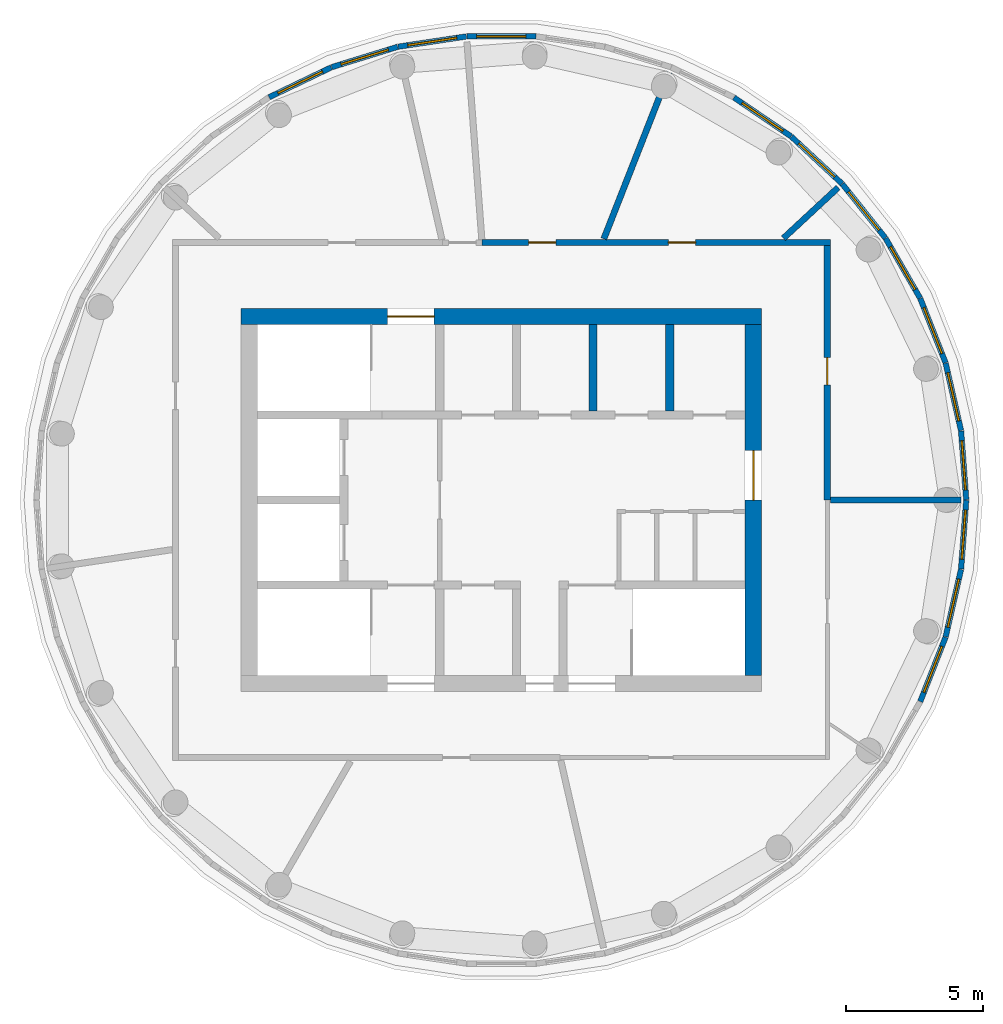
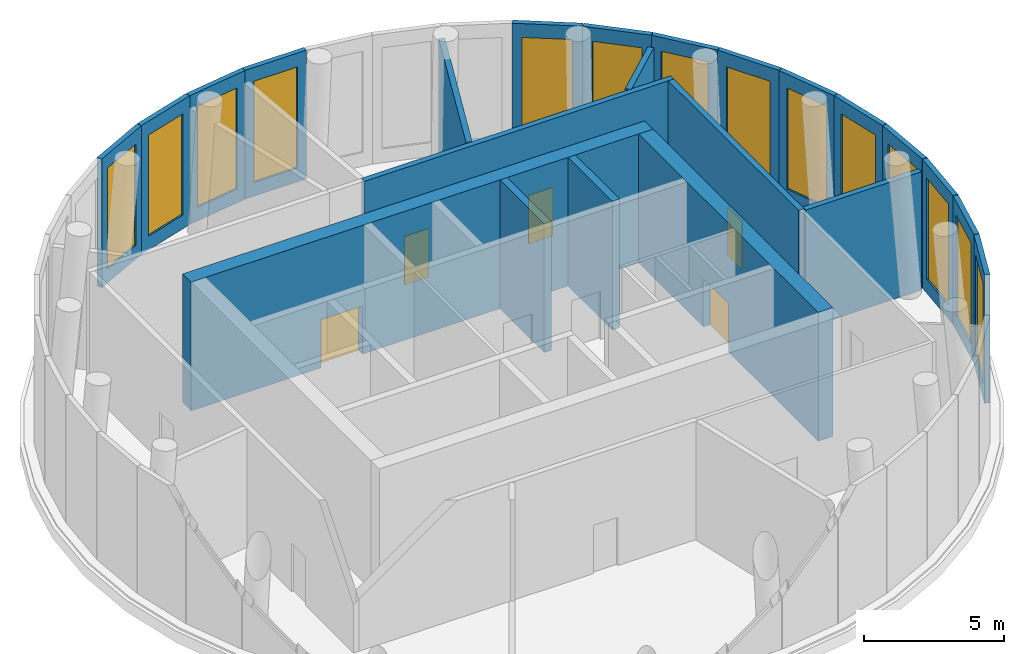
# One storey, part 4 of 6: 23 walls, 14 windows, 5 doors, 19 openings.
"""IFC4 building model written with IfcOpenShell, lengths in metres."""

from ifc_helpers import new_model, si_unit, direction, frame, frame_2d, origin, place, context, subcontext, project, spatial, rectangle, extrude, material, layer, layer_set, type_object, element, fill, save


model = new_model("IFC4")

# Units and contexts
model_context = context("Model", 3, precision=1e-05, world=origin(), true_north=direction((0.0, 1.0)))
body_context = subcontext(model_context, "Body", "Model", "MODEL_VIEW")
ifc_project = project(units=[si_unit("LENGTHUNIT", "METRE"), si_unit("AREAUNIT", "SQUARE_METRE"), si_unit("VOLUMEUNIT", "CUBIC_METRE"), si_unit("PLANEANGLEUNIT", "RADIAN"), si_unit("MASSUNIT", "GRAM", prefix="KILO")], contexts=[model_context])

# Site, building, storey
site_placement = place(None, origin())
site = spatial("IfcSite", under=ifc_project, at=site_placement, CompositionType="ELEMENT")
building_placement = place(site_placement, origin())
building = spatial("IfcBuilding", under=site, at=building_placement, Name="Tracery Tower", CompositionType="ELEMENT")
storey_placement = place(building_placement, frame((0.0, 0.0, 358.199951171875)))
storey = spatial("IfcBuildingStorey", under=building, at=storey_placement, Name="L91 Plant", CompositionType="ELEMENT", Elevation=358.199951171875)

# Wall, opening, door
ifc_material_1 = material(Name="Concrete C40/50", Category="concrete")
ifc_layer_1 = layer(ifc_material_1, 0.60009765625)
ifc_layer_set_1 = layer_set([ifc_layer_1], Name="Core wall 600 C40")
wall_type_1 = type_object("IfcWallType", Name="Core wall 600 C40", PredefinedType="SOLIDWALL", material=ifc_layer_set_1)
wall_1_placement = place(storey_placement, frame((-9.5, 6.699951171875, 0.0), z_axis=(0.0, 0.0, 1.0), x_axis=(1.0, 0.0, 0.0)))
wall_1 = element("IfcWall", 1, at=wall_1_placement, inside=storey, type_object=wall_type_1, Name="L91 Plant outer N", PredefinedType="SOLIDWALL", context=body_context, shape_type="SweptSolid", body=[
    extrude(rectangle(XDim=19.0, YDim=0.60009765625, at=frame_2d((9.5, 0.0))), origin(), (0.0, 0.0, 1.0), 5.60009765625),
])
opening_1_placement = place(wall_1_placement, frame((5.35009765625, 0.0, 0.0)))
opening_1 = element("IfcOpeningElement", 2, at=opening_1_placement, cuts=wall_1, Name="Opening KD3", PredefinedType="OPENING", context=body_context, shape_type="SweptSolid", body=[
    extrude(rectangle(XDim=1.699951171875, YDim=2.10009765625, at=frame_2d((0.85009765625, 1.050048828125))), frame((0.0, 0.300048828125, 0.0), z_axis=(0.0, -1.0, 0.0), x_axis=(1.0, 0.0, 0.0)), (0.0, 0.0, 1.0), 0.60009765625),
])
ifc_material_2 = material(Name="Steel fire door", Category="steel")
door_type_1 = type_object("IfcDoorType", Name="Core stair door 1700 double", OperationType="NOTDEFINED", PredefinedType="DOOR", material=ifc_material_2)
door_1_placement = place(opening_1_placement, origin())
door_1 = element("IfcDoor", 3, at=door_1_placement, inside=storey, type_object=door_type_1, Name="Stair door ST3 exit", OperationType="DOUBLE_DOOR_SINGLE_SWING", OverallHeight=2.10009765625, OverallWidth=1.699951171875, PredefinedType="DOOR", context=body_context, shape_type="SweptSolid", body=[
    extrude(rectangle(XDim=1.699951171875, YDim=2.10009765625, at=frame_2d((0.85009765625, 1.050048828125))), frame((0.0, 0.02490234375, 0.0), z_axis=(0.0, -1.0, 0.0), x_axis=(1.0, 0.0, 0.0)), (0.0, 0.0, 1.0), 0.050048828125),
])
fill(opening_1, door_1)

wall_2_placement = place(storey_placement, frame((9.199951171875, -6.39990234375, 0.0), z_axis=(0.0, 0.0, 1.0), x_axis=(0.0, 1.0, 0.0)))
wall_2 = element("IfcWall", 4, at=wall_2_placement, inside=storey, type_object=wall_type_1, Name="L91 Plant outer E", PredefinedType="SOLIDWALL", context=body_context, shape_type="SweptSolid", body=[
    extrude(rectangle(XDim=12.7998046875, YDim=0.60009765625, at=frame_2d((6.39990234375, 0.0))), origin(), (0.0, 0.0, 1.0), 5.60009765625),
])
opening_2_placement = place(wall_2_placement, frame((6.39990234375, 0.0, 0.0)))
opening_2 = element("IfcOpeningElement", 5, at=opening_2_placement, cuts=wall_2, Name="Opening KD13", PredefinedType="OPENING", context=body_context, shape_type="SweptSolid", body=[
    extrude(rectangle(XDim=1.800048828125, YDim=2.10009765625, at=frame_2d((0.89990234375, 1.050048828125))), frame((0.0, 0.300048828125, 0.0), z_axis=(0.0, -1.0, 0.0), x_axis=(1.0, 0.0, 0.0)), (0.0, 0.0, 1.0), 0.60009765625),
])
ifc_material_3 = material(Name="Steel fire door", Category="steel")
door_type_2 = type_object("IfcDoorType", Name="Core exit door 1800 double", OperationType="NOTDEFINED", PredefinedType="DOOR", material=ifc_material_3)
door_2_placement = place(opening_2_placement, origin())
door_2 = element("IfcDoor", 6, at=door_2_placement, inside=storey, type_object=door_type_2, Name="Core exit door", OperationType="DOUBLE_DOOR_SINGLE_SWING", OverallHeight=2.10009765625, OverallWidth=1.800048828125, PredefinedType="DOOR", context=body_context, shape_type="SweptSolid", body=[
    extrude(rectangle(XDim=1.800048828125, YDim=2.10009765625, at=frame_2d((0.89990234375, 1.050048828125))), frame((0.0, 0.02490234375, 0.0), z_axis=(0.0, -1.0, 0.0), x_axis=(1.0, 0.0, 0.0)), (0.0, 0.0, 1.0), 0.050048828125),
])
fill(opening_2, door_2)

# Wall, opening, window
ifc_material_4 = material(Name="Aluminium louvre, bronze anodised", Category="aluminium")
ifc_layer_2 = layer(ifc_material_4, 0.199951171875)
ifc_layer_set_2 = layer_set([ifc_layer_2], Name="Plant drum louvre wall 200")
wall_type_2 = type_object("IfcWallType", Name="Plant drum louvre wall 200", PredefinedType="STANDARD", material=ifc_layer_set_2)
wall_3_placement = place(storey_placement, frame((16.97119140625, 0.008544921875, 0.0), z_axis=(0.0, 0.0, 1.0), x_axis=(-0.074710452078, 0.997205268914, 0.0)))
wall_3 = element("IfcWall", 7, at=wall_3_placement, inside=storey, type_object=wall_type_2, Name="Plant drum louvre wall 1", PredefinedType="STANDARD", context=body_context, shape_type="SweptSolid", body=[
    extrude(rectangle(XDim=2.51953125, YDim=0.199951171875, at=frame_2d((1.259765625, 0.0))), origin(), (0.0, 0.0, 1.0), 5.60009765625),
])
opening_3_placement = place(wall_3_placement, frame((0.35986328125, 0.0, 0.60009765625)))
opening_3 = element("IfcOpeningElement", 8, at=opening_3_placement, cuts=wall_3, Name="Opening EW841", PredefinedType="OPENING", context=body_context, shape_type="SweptSolid", body=[
    extrude(rectangle(XDim=1.800048828125, YDim=4.39990234375, at=frame_2d((0.89990234375, 2.199951171875))), frame((0.0, 0.10009765625, 0.0), z_axis=(0.0, -1.0, 0.0), x_axis=(1.0, 0.0, 0.0)), (0.0, 0.0, 1.0), 0.199951171875),
])
ifc_material_5 = material(Name="Aluminium louvre, bronze anodised", Category="aluminium")
window_type = type_object("IfcWindowType", Name="Plant drum louvre 1800 x 4400", PartitioningType="SINGLE_PANEL", PredefinedType="WINDOW", material=ifc_material_5)
window_1_placement = place(opening_3_placement, origin())
window_1 = element("IfcWindow", 9, at=window_1_placement, inside=storey, type_object=window_type, Name="Plant drum louvre EW841", OverallHeight=4.39990234375, OverallWidth=1.800048828125, PartitioningType="SINGLE_PANEL", PredefinedType="WINDOW", context=body_context, shape_type="SweptSolid", body=[
    extrude(rectangle(XDim=1.800048828125, YDim=4.39990234375, at=frame_2d((0.89990234375, 2.199951171875))), frame((0.0, 0.030029296875, 0.0), z_axis=(0.0, -1.0, 0.0), x_axis=(1.0, 0.0, 0.0)), (0.0, 0.0, 1.0), 0.06005859375),
])
fill(opening_3, window_1)

wall_4_placement = place(storey_placement, frame((16.780517578125, 2.537841796875, 0.0), z_axis=(0.0, 0.0, 1.0), x_axis=(-0.222559075323, 0.974919205879, 0.0)))
wall_4 = element("IfcWall", 10, at=wall_4_placement, inside=storey, type_object=wall_type_2, Name="Plant drum louvre wall 2", PredefinedType="STANDARD", context=body_context, shape_type="SweptSolid", body=[
    extrude(rectangle(XDim=2.519775390625, YDim=0.199951171875, at=frame_2d((1.259765625, 0.0))), origin(), (0.0, 0.0, 1.0), 5.60009765625),
])
opening_4_placement = place(wall_4_placement, frame((0.35986328125, 0.0, 0.60009765625)))
opening_4 = element("IfcOpeningElement", 11, at=opening_4_placement, cuts=wall_4, Name="Opening EW842", PredefinedType="OPENING", context=body_context, shape_type="SweptSolid", body=[
    extrude(rectangle(XDim=1.800048828125, YDim=4.39990234375, at=frame_2d((0.89990234375, 2.199951171875))), frame((0.0, 0.10009765625, 0.0), z_axis=(0.0, -1.0, 0.0), x_axis=(1.0, 0.0, 0.0)), (0.0, 0.0, 1.0), 0.199951171875),
])
window_2_placement = place(opening_4_placement, origin())
window_2 = element("IfcWindow", 12, at=window_2_placement, inside=storey, type_object=window_type, Name="Plant drum louvre EW842", OverallHeight=4.39990234375, OverallWidth=1.800048828125, PartitioningType="SINGLE_PANEL", PredefinedType="WINDOW", context=body_context, shape_type="SweptSolid", body=[
    extrude(rectangle(XDim=1.800048828125, YDim=4.39990234375, at=frame_2d((0.89990234375, 2.199951171875))), frame((0.0, 0.030029296875, 0.0), z_axis=(0.0, -1.0, 0.0), x_axis=(1.0, 0.0, 0.0)), (0.0, 0.0, 1.0), 0.06005859375),
])
fill(opening_4, window_2)

wall_5_placement = place(storey_placement, frame((16.21484375, 5.010498046875, 0.0), z_axis=(0.0, 0.0, 1.0), x_axis=(-0.365385552195, 0.93085627153, 0.0)))
wall_5 = element("IfcWall", 13, at=wall_5_placement, inside=storey, type_object=wall_type_2, Name="Plant drum louvre wall 3", PredefinedType="STANDARD", context=body_context, shape_type="SweptSolid", body=[
    extrude(rectangle(XDim=2.519775390625, YDim=0.199951171875, at=frame_2d((1.259765625, 0.0))), origin(), (0.0, 0.0, 1.0), 5.60009765625),
])
opening_5_placement = place(wall_5_placement, frame((0.35986328125, 0.0, 0.60009765625)))
opening_5 = element("IfcOpeningElement", 14, at=opening_5_placement, cuts=wall_5, Name="Opening EW843", PredefinedType="OPENING", context=body_context, shape_type="SweptSolid", body=[
    extrude(rectangle(XDim=1.800048828125, YDim=4.39990234375, at=frame_2d((0.89990234375, 2.199951171875))), frame((0.0, 0.10009765625, 0.0), z_axis=(0.0, -1.0, 0.0), x_axis=(1.0, 0.0, 0.0)), (0.0, 0.0, 1.0), 0.199951171875),
])
window_3_placement = place(opening_5_placement, origin())
window_3 = element("IfcWindow", 15, at=window_3_placement, inside=storey, type_object=window_type, Name="Plant drum louvre EW843", OverallHeight=4.39990234375, OverallWidth=1.800048828125, PartitioningType="SINGLE_PANEL", PredefinedType="WINDOW", context=body_context, shape_type="SweptSolid", body=[
    extrude(rectangle(XDim=1.800048828125, YDim=4.39990234375, at=frame_2d((0.89990234375, 2.199951171875))), frame((0.0, 0.030029296875, 0.0), z_axis=(0.0, -1.0, 0.0), x_axis=(1.0, 0.0, 0.0)), (0.0, 0.0, 1.0), 0.06005859375),
])
fill(opening_5, window_3)

wall_6_placement = place(storey_placement, frame((15.286865234375, 7.37109375, 0.0), z_axis=(0.0, 0.0, 1.0), x_axis=(-0.499974077718, 0.866040369504, 0.0)))
wall_6 = element("IfcWall", 16, at=wall_6_placement, inside=storey, type_object=wall_type_2, Name="Plant drum louvre wall 4", PredefinedType="STANDARD", context=body_context, shape_type="SweptSolid", body=[
    extrude(rectangle(XDim=2.519775390625, YDim=0.199951171875, at=frame_2d((1.259765625, 0.0))), origin(), (0.0, 0.0, 1.0), 5.60009765625),
])
opening_6_placement = place(wall_6_placement, frame((0.35986328125, 0.0, 0.60009765625)))
opening_6 = element("IfcOpeningElement", 17, at=opening_6_placement, cuts=wall_6, Name="Opening EW844", PredefinedType="OPENING", context=body_context, shape_type="SweptSolid", body=[
    extrude(rectangle(XDim=1.800048828125, YDim=4.39990234375, at=frame_2d((0.89990234375, 2.199951171875))), frame((0.0, 0.10009765625, 0.0), z_axis=(0.0, -1.0, 0.0), x_axis=(1.0, 0.0, 0.0)), (0.0, 0.0, 1.0), 0.199951171875),
])
window_4_placement = place(opening_6_placement, origin())
window_4 = element("IfcWindow", 18, at=window_4_placement, inside=storey, type_object=window_type, Name="Plant drum louvre EW844", OverallHeight=4.39990234375, OverallWidth=1.800048828125, PartitioningType="SINGLE_PANEL", PredefinedType="WINDOW", context=body_context, shape_type="SweptSolid", body=[
    extrude(rectangle(XDim=1.800048828125, YDim=4.39990234375, at=frame_2d((0.89990234375, 2.199951171875))), frame((0.0, 0.030029296875, 0.0), z_axis=(0.0, -1.0, 0.0), x_axis=(1.0, 0.0, 0.0)), (0.0, 0.0, 1.0), 0.06005859375),
])
fill(opening_6, window_4)

wall_7_placement = place(storey_placement, frame((14.017578125, 9.5673828125, 0.0), z_axis=(0.0, 0.0, 1.0), x_axis=(-0.623548124622, 0.781784968057, 0.0)))
wall_7 = element("IfcWall", 19, at=wall_7_placement, inside=storey, type_object=wall_type_2, Name="Plant drum louvre wall 5", PredefinedType="STANDARD", context=body_context, shape_type="SweptSolid", body=[
    extrude(rectangle(XDim=2.51953125, YDim=0.199951171875, at=frame_2d((1.259765625, 0.0))), origin(), (0.0, 0.0, 1.0), 5.60009765625),
])
opening_7_placement = place(wall_7_placement, frame((0.35986328125, 0.0, 0.60009765625)))
opening_7 = element("IfcOpeningElement", 20, at=opening_7_placement, cuts=wall_7, Name="Opening EW845", PredefinedType="OPENING", context=body_context, shape_type="SweptSolid", body=[
    extrude(rectangle(XDim=1.800048828125, YDim=4.39990234375, at=frame_2d((0.89990234375, 2.199951171875))), frame((0.0, 0.10009765625, 0.0), z_axis=(0.0, -1.0, 0.0), x_axis=(1.0, 0.0, 0.0)), (0.0, 0.0, 1.0), 0.199951171875),
])
window_5_placement = place(opening_7_placement, origin())
window_5 = element("IfcWindow", 21, at=window_5_placement, inside=storey, type_object=window_type, Name="Plant drum louvre EW845", OverallHeight=4.39990234375, OverallWidth=1.800048828125, PartitioningType="SINGLE_PANEL", PredefinedType="WINDOW", context=body_context, shape_type="SweptSolid", body=[
    extrude(rectangle(XDim=1.800048828125, YDim=4.39990234375, at=frame_2d((0.89990234375, 2.199951171875))), frame((0.0, 0.030029296875, 0.0), z_axis=(0.0, -1.0, 0.0), x_axis=(1.0, 0.0, 0.0)), (0.0, 0.0, 1.0), 0.06005859375),
])
fill(opening_7, window_5)

wall_8_placement = place(storey_placement, frame((12.43505859375, 11.549560546875, 0.0), z_axis=(0.0, 0.0, 1.0), x_axis=(-0.733062600056, 0.68016117531, 0.0)))
wall_8 = element("IfcWall", 22, at=wall_8_placement, inside=storey, type_object=wall_type_2, Name="Plant drum louvre wall 6", PredefinedType="STANDARD", context=body_context, shape_type="SweptSolid", body=[
    extrude(rectangle(XDim=2.519775390625, YDim=0.199951171875, at=frame_2d((1.259765625, 0.0))), origin(), (0.0, 0.0, 1.0), 5.60009765625),
])
opening_8_placement = place(wall_8_placement, frame((0.35986328125, 0.0, 0.60009765625)))
opening_8 = element("IfcOpeningElement", 23, at=opening_8_placement, cuts=wall_8, Name="Opening EW846", PredefinedType="OPENING", context=body_context, shape_type="SweptSolid", body=[
    extrude(rectangle(XDim=1.800048828125, YDim=4.39990234375, at=frame_2d((0.89990234375, 2.199951171875))), frame((0.0, 0.10009765625, 0.0), z_axis=(0.0, -1.0, 0.0), x_axis=(1.0, 0.0, 0.0)), (0.0, 0.0, 1.0), 0.199951171875),
])
window_6_placement = place(opening_8_placement, origin())
window_6 = element("IfcWindow", 24, at=window_6_placement, inside=storey, type_object=window_type, Name="Plant drum louvre EW846", OverallHeight=4.39990234375, OverallWidth=1.800048828125, PartitioningType="SINGLE_PANEL", PredefinedType="WINDOW", context=body_context, shape_type="SweptSolid", body=[
    extrude(rectangle(XDim=1.800048828125, YDim=4.39990234375, at=frame_2d((0.89990234375, 2.199951171875))), frame((0.0, 0.030029296875, 0.0), z_axis=(0.0, -1.0, 0.0), x_axis=(1.0, 0.0, 0.0)), (0.0, 0.0, 1.0), 0.06005859375),
])
fill(opening_8, window_6)

wall_9_placement = place(storey_placement, frame((10.57470703125, 13.27392578125, 0.0), z_axis=(0.0, 0.0, 1.0), x_axis=(-0.826221192882, 0.563345844426, 0.0)))
wall_9 = element("IfcWall", 25, at=wall_9_placement, inside=storey, type_object=wall_type_2, Name="Plant drum louvre wall 7", PredefinedType="STANDARD", context=body_context, shape_type="SweptSolid", body=[
    extrude(rectangle(XDim=2.51953125, YDim=0.199951171875, at=frame_2d((1.259765625, 0.0))), origin(), (0.0, 0.0, 1.0), 5.60009765625),
])
opening_9_placement = place(wall_9_placement, frame((0.35986328125, 0.0, 0.60009765625)))
opening_9 = element("IfcOpeningElement", 26, at=opening_9_placement, cuts=wall_9, Name="Opening EW847", PredefinedType="OPENING", context=body_context, shape_type="SweptSolid", body=[
    extrude(rectangle(XDim=1.800048828125, YDim=4.39990234375, at=frame_2d((0.89990234375, 2.199951171875))), frame((0.0, 0.10009765625, 0.0), z_axis=(0.0, -1.0, 0.0), x_axis=(1.0, 0.0, 0.0)), (0.0, 0.0, 1.0), 0.199951171875),
])
window_7_placement = place(opening_9_placement, origin())
window_7 = element("IfcWindow", 27, at=window_7_placement, inside=storey, type_object=window_type, Name="Plant drum louvre EW847", OverallHeight=4.39990234375, OverallWidth=1.800048828125, PartitioningType="SINGLE_PANEL", PredefinedType="WINDOW", context=body_context, shape_type="SweptSolid", body=[
    extrude(rectangle(XDim=1.800048828125, YDim=4.39990234375, at=frame_2d((0.89990234375, 2.199951171875))), frame((0.0, 0.030029296875, 0.0), z_axis=(0.0, -1.0, 0.0), x_axis=(1.0, 0.0, 0.0)), (0.0, 0.0, 1.0), 0.06005859375),
])
fill(opening_9, window_7)

wall_10_placement = place(storey_placement, frame((1.259765625, 16.924560546875, 0.0), z_axis=(0.0, 0.0, 1.0), x_axis=(-1.0, 0.0, 0.0)))
wall_10 = element("IfcWall", 28, at=wall_10_placement, inside=storey, type_object=wall_type_2, Name="Plant drum louvre wall 11", PredefinedType="STANDARD", context=body_context, shape_type="SweptSolid", body=[
    extrude(rectangle(XDim=2.51953125, YDim=0.199951171875, at=frame_2d((1.259765625, 0.0))), origin(), (0.0, 0.0, 1.0), 5.60009765625),
])
opening_10_placement = place(wall_10_placement, frame((0.35986328125, 0.0, 0.60009765625)))
opening_10 = element("IfcOpeningElement", 29, at=opening_10_placement, cuts=wall_10, Name="Opening EW851", PredefinedType="OPENING", context=body_context, shape_type="SweptSolid", body=[
    extrude(rectangle(XDim=1.800048828125, YDim=4.39990234375, at=frame_2d((0.89990234375, 2.199951171875))), frame((0.0, 0.10009765625, 0.0), z_axis=(0.0, -1.0, 0.0), x_axis=(1.0, 0.0, 0.0)), (0.0, 0.0, 1.0), 0.199951171875),
])
window_8_placement = place(opening_10_placement, origin())
window_8 = element("IfcWindow", 30, at=window_8_placement, inside=storey, type_object=window_type, Name="Plant drum louvre EW851", OverallHeight=4.39990234375, OverallWidth=1.800048828125, PartitioningType="SINGLE_PANEL", PredefinedType="WINDOW", context=body_context, shape_type="SweptSolid", body=[
    extrude(rectangle(XDim=1.800048828125, YDim=4.39990234375, at=frame_2d((0.89990234375, 2.199951171875))), frame((0.0, 0.030029296875, 0.0), z_axis=(0.0, -1.0, 0.0), x_axis=(1.0, 0.0, 0.0)), (0.0, 0.0, 1.0), 0.06005859375),
])
fill(opening_10, window_8)

wall_11_placement = place(storey_placement, frame((-1.276611328125, 16.923095703125, 0.0), z_axis=(0.0, 0.0, 1.0), x_axis=(-0.98883520928, -0.149013183605, 0.0)))
wall_11 = element("IfcWall", 31, at=wall_11_placement, inside=storey, type_object=wall_type_2, Name="Plant drum louvre wall 12", PredefinedType="STANDARD", context=body_context, shape_type="SweptSolid", body=[
    extrude(rectangle(XDim=2.519775390625, YDim=0.199951171875, at=frame_2d((1.259765625, 0.0))), origin(), (0.0, 0.0, 1.0), 5.60009765625),
])
opening_11_placement = place(wall_11_placement, frame((0.35986328125, 0.0, 0.60009765625)))
opening_11 = element("IfcOpeningElement", 32, at=opening_11_placement, cuts=wall_11, Name="Opening EW852", PredefinedType="OPENING", context=body_context, shape_type="SweptSolid", body=[
    extrude(rectangle(XDim=1.800048828125, YDim=4.39990234375, at=frame_2d((0.89990234375, 2.199951171875))), frame((0.0, 0.10009765625, 0.0), z_axis=(0.0, -1.0, 0.0), x_axis=(1.0, 0.0, 0.0)), (0.0, 0.0, 1.0), 0.199951171875),
])
window_9_placement = place(opening_11_placement, origin())
window_9 = element("IfcWindow", 33, at=window_9_placement, inside=storey, type_object=window_type, Name="Plant drum louvre EW852", OverallHeight=4.39990234375, OverallWidth=1.800048828125, PartitioningType="SINGLE_PANEL", PredefinedType="WINDOW", context=body_context, shape_type="SweptSolid", body=[
    extrude(rectangle(XDim=1.800048828125, YDim=4.39990234375, at=frame_2d((0.89990234375, 2.199951171875))), frame((0.0, 0.030029296875, 0.0), z_axis=(0.0, -1.0, 0.0), x_axis=(1.0, 0.0, 0.0)), (0.0, 0.0, 1.0), 0.06005859375),
])
fill(opening_11, window_9)

wall_12_placement = place(storey_placement, frame((-3.78466796875, 16.5439453125, 0.0), z_axis=(0.0, 0.0, 1.0), x_axis=(-0.955573464233, -0.294753039769, 0.0)))
wall_12 = element("IfcWall", 34, at=wall_12_placement, inside=storey, type_object=wall_type_2, Name="Plant drum louvre wall 13", PredefinedType="STANDARD", context=body_context, shape_type="SweptSolid", body=[
    extrude(rectangle(XDim=2.519775390625, YDim=0.199951171875, at=frame_2d((1.259765625, 0.0))), origin(), (0.0, 0.0, 1.0), 5.60009765625),
])
opening_12_placement = place(wall_12_placement, frame((0.35986328125, 0.0, 0.60009765625)))
opening_12 = element("IfcOpeningElement", 35, at=opening_12_placement, cuts=wall_12, Name="Opening EW853", PredefinedType="OPENING", context=body_context, shape_type="SweptSolid", body=[
    extrude(rectangle(XDim=1.800048828125, YDim=4.39990234375, at=frame_2d((0.89990234375, 2.199951171875))), frame((0.0, 0.10009765625, 0.0), z_axis=(0.0, -1.0, 0.0), x_axis=(1.0, 0.0, 0.0)), (0.0, 0.0, 1.0), 0.199951171875),
])
window_10_placement = place(opening_12_placement, origin())
window_10 = element("IfcWindow", 36, at=window_10_placement, inside=storey, type_object=window_type, Name="Plant drum louvre EW853", OverallHeight=4.39990234375, OverallWidth=1.800048828125, PartitioningType="SINGLE_PANEL", PredefinedType="WINDOW", context=body_context, shape_type="SweptSolid", body=[
    extrude(rectangle(XDim=1.800048828125, YDim=4.39990234375, at=frame_2d((0.89990234375, 2.199951171875))), frame((0.0, 0.030029296875, 0.0), z_axis=(0.0, -1.0, 0.0), x_axis=(1.0, 0.0, 0.0)), (0.0, 0.0, 1.0), 0.06005859375),
])
fill(opening_12, window_10)

wall_13_placement = place(storey_placement, frame((-6.208251953125, 15.794921875, 0.0), z_axis=(0.0, 0.0, 1.0), x_axis=(-0.900994655578, -0.433830186387, 0.0)))
wall_13 = element("IfcWall", 37, at=wall_13_placement, inside=storey, type_object=wall_type_2, Name="Plant drum louvre wall 14", PredefinedType="STANDARD", context=body_context, shape_type="SweptSolid", body=[
    extrude(rectangle(XDim=2.51953125, YDim=0.199951171875, at=frame_2d((1.259765625, 0.0))), origin(), (0.0, 0.0, 1.0), 5.60009765625),
])
opening_13_placement = place(wall_13_placement, frame((0.35986328125, 0.0, 0.60009765625)))
opening_13 = element("IfcOpeningElement", 38, at=opening_13_placement, cuts=wall_13, Name="Opening EW854", PredefinedType="OPENING", context=body_context, shape_type="SweptSolid", body=[
    extrude(rectangle(XDim=1.800048828125, YDim=4.39990234375, at=frame_2d((0.89990234375, 2.199951171875))), frame((0.0, 0.10009765625, 0.0), z_axis=(0.0, -1.0, 0.0), x_axis=(1.0, 0.0, 0.0)), (0.0, 0.0, 1.0), 0.199951171875),
])
window_11_placement = place(opening_13_placement, origin())
window_11 = element("IfcWindow", 39, at=window_11_placement, inside=storey, type_object=window_type, Name="Plant drum louvre EW854", OverallHeight=4.39990234375, OverallWidth=1.800048828125, PartitioningType="SINGLE_PANEL", PredefinedType="WINDOW", context=body_context, shape_type="SweptSolid", body=[
    extrude(rectangle(XDim=1.800048828125, YDim=4.39990234375, at=frame_2d((0.89990234375, 2.199951171875))), frame((0.0, 0.030029296875, 0.0), z_axis=(0.0, -1.0, 0.0), x_axis=(1.0, 0.0, 0.0)), (0.0, 0.0, 1.0), 0.06005859375),
])
fill(opening_13, window_11)

wall_14_placement = place(storey_placement, frame((15.294189453125, -7.35595703125, 0.0), z_axis=(0.0, 0.0, 1.0), x_axis=(0.365385552195, 0.93085627153, 0.0)))
wall_14 = element("IfcWall", 40, at=wall_14_placement, inside=storey, type_object=wall_type_2, Name="Plant drum louvre wall 40", PredefinedType="STANDARD", context=body_context, shape_type="SweptSolid", body=[
    extrude(rectangle(XDim=2.519775390625, YDim=0.199951171875, at=frame_2d((1.259765625, 0.0))), origin(), (0.0, 0.0, 1.0), 5.60009765625),
])
opening_14_placement = place(wall_14_placement, frame((0.35986328125, 0.0, 0.60009765625)))
opening_14 = element("IfcOpeningElement", 41, at=opening_14_placement, cuts=wall_14, Name="Opening EW880", PredefinedType="OPENING", context=body_context, shape_type="SweptSolid", body=[
    extrude(rectangle(XDim=1.800048828125, YDim=4.39990234375, at=frame_2d((0.89990234375, 2.199951171875))), frame((0.0, 0.10009765625, 0.0), z_axis=(0.0, -1.0, 0.0), x_axis=(1.0, 0.0, 0.0)), (0.0, 0.0, 1.0), 0.199951171875),
])
window_12_placement = place(opening_14_placement, origin())
window_12 = element("IfcWindow", 42, at=window_12_placement, inside=storey, type_object=window_type, Name="Plant drum louvre EW880", OverallHeight=4.39990234375, OverallWidth=1.800048828125, PartitioningType="SINGLE_PANEL", PredefinedType="WINDOW", context=body_context, shape_type="SweptSolid", body=[
    extrude(rectangle(XDim=1.800048828125, YDim=4.39990234375, at=frame_2d((0.89990234375, 2.199951171875))), frame((0.0, 0.030029296875, 0.0), z_axis=(0.0, -1.0, 0.0), x_axis=(1.0, 0.0, 0.0)), (0.0, 0.0, 1.0), 0.06005859375),
])
fill(opening_14, window_12)

wall_15_placement = place(storey_placement, frame((16.2197265625, -4.994384765625, 0.0), z_axis=(0.0, 0.0, 1.0), x_axis=(0.222559075323, 0.974919205879, 0.0)))
wall_15 = element("IfcWall", 43, at=wall_15_placement, inside=storey, type_object=wall_type_2, Name="Plant drum louvre wall 41", PredefinedType="STANDARD", context=body_context, shape_type="SweptSolid", body=[
    extrude(rectangle(XDim=2.519775390625, YDim=0.199951171875, at=frame_2d((1.259765625, 0.0))), origin(), (0.0, 0.0, 1.0), 5.60009765625),
])
opening_15_placement = place(wall_15_placement, frame((0.35986328125, 0.0, 0.60009765625)))
opening_15 = element("IfcOpeningElement", 44, at=opening_15_placement, cuts=wall_15, Name="Opening EW881", PredefinedType="OPENING", context=body_context, shape_type="SweptSolid", body=[
    extrude(rectangle(XDim=1.800048828125, YDim=4.39990234375, at=frame_2d((0.89990234375, 2.199951171875))), frame((0.0, 0.10009765625, 0.0), z_axis=(0.0, -1.0, 0.0), x_axis=(1.0, 0.0, 0.0)), (0.0, 0.0, 1.0), 0.199951171875),
])
window_13_placement = place(opening_15_placement, origin())
window_13 = element("IfcWindow", 45, at=window_13_placement, inside=storey, type_object=window_type, Name="Plant drum louvre EW881", OverallHeight=4.39990234375, OverallWidth=1.800048828125, PartitioningType="SINGLE_PANEL", PredefinedType="WINDOW", context=body_context, shape_type="SweptSolid", body=[
    extrude(rectangle(XDim=1.800048828125, YDim=4.39990234375, at=frame_2d((0.89990234375, 2.199951171875))), frame((0.0, 0.030029296875, 0.0), z_axis=(0.0, -1.0, 0.0), x_axis=(1.0, 0.0, 0.0)), (0.0, 0.0, 1.0), 0.06005859375),
])
fill(opening_15, window_13)

wall_16_placement = place(storey_placement, frame((16.782958984375, -2.52099609375, 0.0), z_axis=(0.0, 0.0, 1.0), x_axis=(0.074710452078, 0.997205268914, 0.0)))
wall_16 = element("IfcWall", 46, at=wall_16_placement, inside=storey, type_object=wall_type_2, Name="Plant drum louvre wall 42", PredefinedType="STANDARD", context=body_context, shape_type="SweptSolid", body=[
    extrude(rectangle(XDim=2.51953125, YDim=0.199951171875, at=frame_2d((1.259765625, 0.0))), origin(), (0.0, 0.0, 1.0), 5.60009765625),
])
opening_16_placement = place(wall_16_placement, frame((0.35986328125, 0.0, 0.60009765625)))
opening_16 = element("IfcOpeningElement", 47, at=opening_16_placement, cuts=wall_16, Name="Opening EW882", PredefinedType="OPENING", context=body_context, shape_type="SweptSolid", body=[
    extrude(rectangle(XDim=1.800048828125, YDim=4.39990234375, at=frame_2d((0.89990234375, 2.199951171875))), frame((0.0, 0.10009765625, 0.0), z_axis=(0.0, -1.0, 0.0), x_axis=(1.0, 0.0, 0.0)), (0.0, 0.0, 1.0), 0.199951171875),
])
window_14_placement = place(opening_16_placement, origin())
window_14 = element("IfcWindow", 48, at=window_14_placement, inside=storey, type_object=window_type, Name="Plant drum louvre EW882", OverallHeight=4.39990234375, OverallWidth=1.800048828125, PartitioningType="SINGLE_PANEL", PredefinedType="WINDOW", context=body_context, shape_type="SweptSolid", body=[
    extrude(rectangle(XDim=1.800048828125, YDim=4.39990234375, at=frame_2d((0.89990234375, 2.199951171875))), frame((0.0, 0.030029296875, 0.0), z_axis=(0.0, -1.0, 0.0), x_axis=(1.0, 0.0, 0.0)), (0.0, 0.0, 1.0), 0.06005859375),
])
fill(opening_16, window_14)

# Wall
ifc_material_6 = material(Name="Concrete blockwork", Category="masonry")
ifc_layer_3 = layer(ifc_material_6, 0.22509765625)
ifc_layer_set_3 = layer_set([ifc_layer_3], Name="Plant room block wall 225")
wall_type_3 = type_object("IfcWallType", Name="Plant room block wall 225", PredefinedType="PARTITIONING", material=ifc_layer_set_3)
wall_17_placement = place(storey_placement, frame((6.127197265625, 15.612060546875, 0.0), z_axis=(0.0, 0.0, 1.0), x_axis=(-0.365336573435, -0.930875495494, 0.0)))
element("IfcWall", 49, at=wall_17_placement, inside=storey, type_object=wall_type_3, Name="Plant room block wall 225", PredefinedType="PARTITIONING", context=body_context, shape_type="SweptSolid", body=[
    extrude(rectangle(XDim=6.5302734375, YDim=0.22509765625, at=frame_2d((3.26513671875, 0.0))), origin(), (0.0, 0.0, 1.0), 5.150146484375),
])

# Wall, opening, door
wall_18_placement = place(storey_placement, frame((11.89990234375, 0.0, 0.0), z_axis=(0.0, 0.0, 1.0), x_axis=(0.0, 1.0, 0.0)))
wall_18 = element("IfcWall", 50, at=wall_18_placement, inside=storey, type_object=wall_type_3, Name="Plant room block wall 225", PredefinedType="PARTITIONING", context=body_context, shape_type="SweptSolid", body=[
    extrude(rectangle(XDim=9.28759765625, YDim=0.22509765625, at=frame_2d((4.643798828125, 0.0))), origin(), (0.0, 0.0, 1.0), 5.150146484375),
])
opening_17_placement = place(wall_18_placement, frame((4.199951171875, 0.0, 0.0)))
opening_17 = element("IfcOpeningElement", 51, at=opening_17_placement, cuts=wall_18, Name="Opening SB-P91-01", PredefinedType="OPENING", context=body_context, shape_type="SweptSolid", body=[
    extrude(rectangle(XDim=1.0, YDim=2.10009765625, at=frame_2d((0.5, 1.050048828125))), frame((0.0, 0.112548828125, 0.0), z_axis=(0.0, -1.0, 0.0), x_axis=(1.0, 0.0, 0.0)), (0.0, 0.0, 1.0), 0.22509765625),
])
ifc_material_7 = material(Name="Steel fire door", Category="steel")
door_type_3 = type_object("IfcDoorType", Name="Plant room door 1000", OperationType="NOTDEFINED", PredefinedType="DOOR", material=ifc_material_7)
door_3_placement = place(opening_17_placement, origin())
door_3 = element("IfcDoor", 52, at=door_3_placement, inside=storey, type_object=door_type_3, Name="Plant room door 1000", OperationType="SINGLE_SWING_LEFT", OverallHeight=2.10009765625, OverallWidth=1.0, PredefinedType="DOOR", context=body_context, shape_type="SweptSolid", body=[
    extrude(rectangle(XDim=1.0, YDim=2.10009765625, at=frame_2d((0.5, 1.050048828125))), frame((0.0, 0.02490234375, 0.0), z_axis=(0.0, -1.0, 0.0), x_axis=(1.0, 0.0, 0.0)), (0.0, 0.0, 1.0), 0.050048828125),
])
fill(opening_17, door_3)

# Wall, openings, doors
wall_19_placement = place(storey_placement, frame((12.012451171875, 9.39990234375, 0.0), z_axis=(0.0, 0.0, 1.0), x_axis=(-1.0, 0.0, 0.0)))
wall_19 = element("IfcWall", 53, at=wall_19_placement, inside=storey, type_object=wall_type_3, Name="Plant room block wall 225", PredefinedType="PARTITIONING", context=body_context, shape_type="SweptSolid", body=[
    extrude(rectangle(XDim=12.716796875, YDim=0.22509765625, at=frame_2d((6.3583984375, 0.0))), origin(), (0.0, 0.0, 1.0), 5.150146484375),
])
opening_18_placement = place(wall_19_placement, frame((4.91796875, 0.0, 0.0)))
opening_18 = element("IfcOpeningElement", 54, at=opening_18_placement, cuts=wall_19, Name="Opening SB-P91-02", PredefinedType="OPENING", context=body_context, shape_type="SweptSolid", body=[
    extrude(rectangle(XDim=1.0, YDim=2.10009765625, at=frame_2d((0.5, 1.050048828125))), frame((0.0, 0.112548828125, 0.0), z_axis=(0.0, -1.0, 0.0), x_axis=(1.0, 0.0, 0.0)), (0.0, 0.0, 1.0), 0.22509765625),
])
opening_19_placement = place(wall_19_placement, frame((10.02001953125, 0.0, 0.0)))
opening_19 = element("IfcOpeningElement", 55, at=opening_19_placement, cuts=wall_19, Name="Opening SB-P91-03", PredefinedType="OPENING", context=body_context, shape_type="SweptSolid", body=[
    extrude(rectangle(XDim=1.0, YDim=2.10009765625, at=frame_2d((0.5, 1.050048828125))), frame((0.0, 0.112548828125, 0.0), z_axis=(0.0, -1.0, 0.0), x_axis=(1.0, 0.0, 0.0)), (0.0, 0.0, 1.0), 0.22509765625),
])
door_4_placement = place(opening_18_placement, origin())
door_4 = element("IfcDoor", 56, at=door_4_placement, inside=storey, type_object=door_type_3, Name="Plant room door 1000", OperationType="SINGLE_SWING_LEFT", OverallHeight=2.10009765625, OverallWidth=1.0, PredefinedType="DOOR", context=body_context, shape_type="SweptSolid", body=[
    extrude(rectangle(XDim=1.0, YDim=2.10009765625, at=frame_2d((0.5, 1.050048828125))), frame((0.0, 0.02490234375, 0.0), z_axis=(0.0, -1.0, 0.0), x_axis=(1.0, 0.0, 0.0)), (0.0, 0.0, 1.0), 0.050048828125),
])
fill(opening_18, door_4)
door_5_placement = place(opening_19_placement, origin())
door_5 = element("IfcDoor", 57, at=door_5_placement, inside=storey, type_object=door_type_3, Name="Plant room door 1000", OperationType="SINGLE_SWING_LEFT", OverallHeight=2.10009765625, OverallWidth=1.0, PredefinedType="DOOR", context=body_context, shape_type="SweptSolid", body=[
    extrude(rectangle(XDim=1.0, YDim=2.10009765625, at=frame_2d((0.5, 1.050048828125))), frame((0.0, 0.02490234375, 0.0), z_axis=(0.0, -1.0, 0.0), x_axis=(1.0, 0.0, 0.0)), (0.0, 0.0, 1.0), 0.050048828125),
])
fill(opening_19, door_5)

# Walls
wall_20_placement = place(storey_placement, frame((12.294189453125, 11.407470703125, 0.0), z_axis=(0.0, 0.0, 1.0), x_axis=(-0.733039115951, -0.680186485081, 0.0)))
element("IfcWall", 58, at=wall_20_placement, inside=storey, type_object=wall_type_3, Name="Plant room block wall 225", PredefinedType="PARTITIONING", context=body_context, shape_type="SweptSolid", body=[
    extrude(rectangle(XDim=2.725341796875, YDim=0.22509765625, at=frame_2d((1.36279296875, 0.0))), origin(), (0.0, 0.0, 1.0), 5.150146484375),
])
wall_21_placement = place(storey_placement, frame((16.771484375, 0.0, 0.0), z_axis=(0.0, 0.0, 1.0), x_axis=(-1.0, 0.0, 0.0)))
element("IfcWall", 59, at=wall_21_placement, inside=storey, type_object=wall_type_3, Name="Plant room block wall 225", PredefinedType="PARTITIONING", context=body_context, shape_type="SweptSolid", body=[
    extrude(rectangle(XDim=4.759033203125, YDim=0.22509765625, at=frame_2d((2.37939453125, 0.0))), origin(), (0.0, 0.0, 1.0), 5.150146484375),
])
ifc_material_8 = material(Name="Concrete C40/50", Category="concrete")
ifc_layer_4 = layer(ifc_material_8, 0.300048828125)
ifc_layer_set_4 = layer_set([ifc_layer_4], Name="Shaft wall 300 C40")
wall_type_4 = type_object("IfcWallType", Name="Shaft wall 300 C40", PredefinedType="SOLIDWALL", material=ifc_layer_set_4)
for number, where, z_axis, x_axis, name in (
    (60, (3.35009765625, 3.25, 0.0), (0.0, 0.0, 1.0), (0.0, 1.0, 0.0), "L91 Plant HR sep 2"),
    (61, (6.14990234375, 3.25, 0.0), (0.0, 0.0, 1.0), (0.0, 1.0, 0.0), "L91 Plant HR sep 3"),
):
    element("IfcWall", number, at=place(storey_placement, frame(where, z_axis=z_axis, x_axis=x_axis)), inside=storey, type_object=wall_type_4, Name=name, PredefinedType="SOLIDWALL", context=body_context, shape_type="SweptSolid", body=[
        extrude(rectangle(XDim=3.14990234375, YDim=0.300048828125, at=frame_2d((1.574951171875, 0.0))), origin(), (0.0, 0.0, 1.0), 5.60009765625),
    ])

save(model, "model.ifc")
